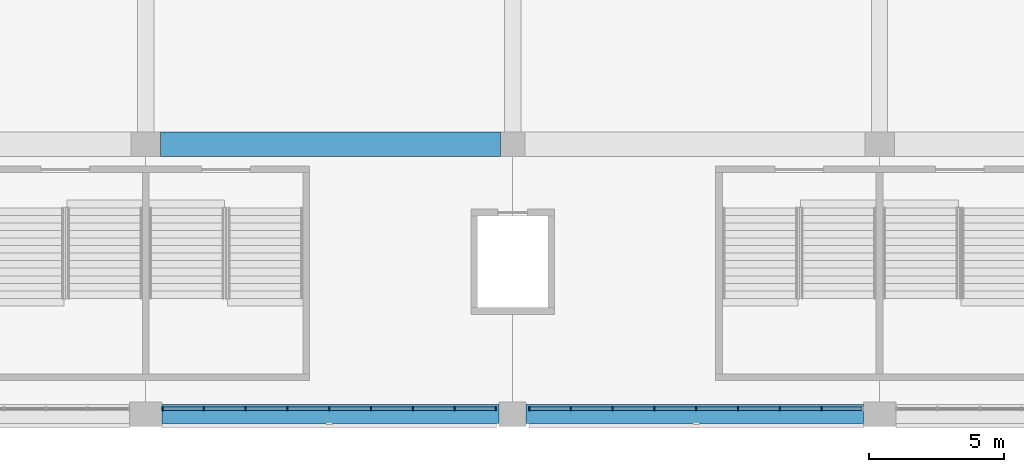
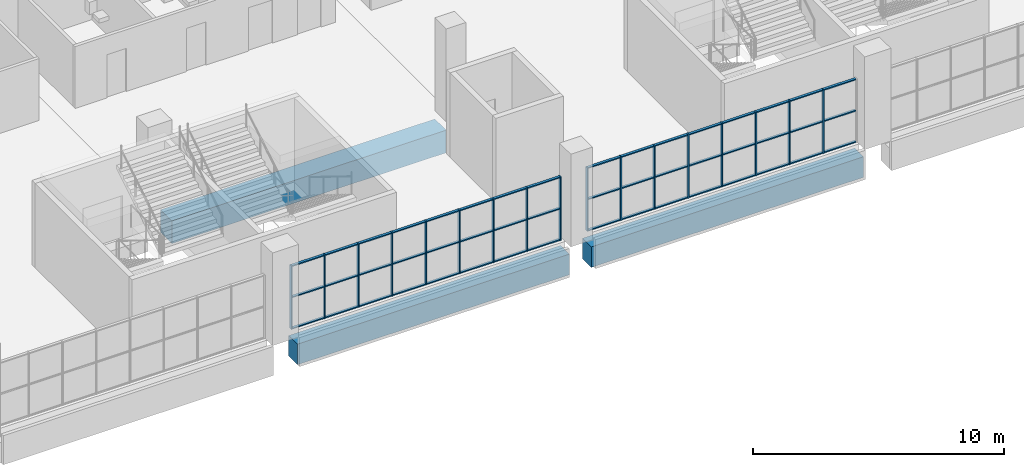
# One storey, part 11 of 199: 65 members, 3 beams, 2 elements without a shape of their own.
"""IFC4 building model written with IfcOpenShell, lengths in metres."""

from ifc_helpers import new_model, si_unit, direction, frame, origin, origin_2d, place, context, subcontext, project, spatial, rectangle, extrude, material, material_profile, profile_set, type_object, element, aggregate, save


model = new_model("IFC4")

# Units and contexts
model_context = context("Model", 3, precision=1e-05, world=origin(), true_north=direction((0.0, 1.0)))
body_context = subcontext(model_context, "Body", "Model", "MODEL_VIEW")
ifc_project = project(units=[si_unit("LENGTHUNIT", "METRE"), si_unit("AREAUNIT", "SQUARE_METRE"), si_unit("VOLUMEUNIT", "CUBIC_METRE"), si_unit("PLANEANGLEUNIT", "RADIAN"), si_unit("MASSUNIT", "GRAM", prefix="KILO")], contexts=[model_context])

# Site, building, storey
site_placement = place(None, origin())
site = spatial("IfcSite", under=ifc_project, at=site_placement, CompositionType="ELEMENT")
building_placement = place(site_placement, origin())
building = spatial("IfcBuilding", under=site, at=building_placement, Name="Ogive Plaza Stadium", CompositionType="ELEMENT")
storey_placement = place(building_placement, frame((0.0, 0.0, 4.5)))
storey = spatial("IfcBuildingStorey", under=building, at=storey_placement, Name="L01", CompositionType="ELEMENT", Elevation=4.5)

# Curtain wall, members
ifc_material_1 = material(Name="Bronze-anodised aluminium with laminated glass", Category="aluminium")
curtain_wall_type = type_object("IfcCurtainWallType", Name="Lancet curtain wall", PredefinedType="NOTDEFINED", material=ifc_material_1)
curtain_wall_1_placement = place(storey_placement, origin())
curtain_wall_1 = element("IfcCurtainWall", 1, at=curtain_wall_1_placement, inside=storey, type_object=curtain_wall_type, Name="CURTAIN WALL B14 L01", PredefinedType="NOTDEFINED")
ifc_material_2 = material(Name="Bronze-anodised aluminium", Category="aluminium")
ifc_material_profile_1 = material_profile(ifc_material_2, rectangle(XDim=0.14990234375, YDim=0.050048828125, at=origin_2d()), Name="AL 150x50")
ifc_profile_set_1 = profile_set([ifc_material_profile_1], Name="Bronze-anodised aluminium")
member_type_1 = type_object("IfcMemberType", Name="Curtain wall mullion 50x150", PredefinedType="MULLION", material=ifc_profile_set_1)
member_1_placement = place(storey_placement, frame((4.64990234375, -102.300048828125, 0.0), z_axis=(0.0, 0.0, 1.0), x_axis=(0.0, -1.0, 0.0)))
member_1 = element("IfcMember", 2, at=member_1_placement, type_object=member_type_1, Name="CW-B14-L01 mullion 2", PredefinedType="MULLION", context=body_context, shape_type="SweptSolid", body=[
    extrude(rectangle(XDim=0.14990234375, YDim=0.050048828125, at=origin_2d()), origin(), (0.0, 0.0, 1.0), 3.090087890625),
])
member_2_placement = place(storey_placement, frame((3.10009765625, -102.300048828125, 0.0), z_axis=(0.0, 0.0, 1.0), x_axis=(0.0, -1.0, 0.0)))
member_2 = element("IfcMember", 3, at=member_2_placement, type_object=member_type_1, Name="CW-B14-L01 mullion 3", PredefinedType="MULLION", context=body_context, shape_type="SweptSolid", body=[
    extrude(rectangle(XDim=0.14990234375, YDim=0.050048828125, at=origin_2d()), origin(), (0.0, 0.0, 1.0), 3.090087890625),
])
member_3_placement = place(storey_placement, frame((1.550048828125, -102.300048828125, 0.0), z_axis=(0.0, 0.0, 1.0), x_axis=(0.0, -1.0, 0.0)))
member_3 = element("IfcMember", 4, at=member_3_placement, type_object=member_type_1, Name="CW-B14-L01 mullion 4", PredefinedType="MULLION", context=body_context, shape_type="SweptSolid", body=[
    extrude(rectangle(XDim=0.14990234375, YDim=0.050048828125, at=origin_2d()), origin(), (0.0, 0.0, 1.0), 3.090087890625),
])
member_4_placement = place(storey_placement, frame((0.0, -102.300048828125, 0.0), z_axis=(0.0, 0.0, 1.0), x_axis=(0.0, -1.0, 0.0)))
member_4 = element("IfcMember", 5, at=member_4_placement, type_object=member_type_1, Name="CW-B14-L01 mullion 5", PredefinedType="MULLION", context=body_context, shape_type="SweptSolid", body=[
    extrude(rectangle(XDim=0.14990234375, YDim=0.050048828125, at=origin_2d()), origin(), (0.0, 0.0, 1.0), 3.090087890625),
])
member_5_placement = place(storey_placement, frame((-1.550048828125, -102.300048828125, 0.0), z_axis=(0.0, 0.0, 1.0), x_axis=(0.0, -1.0, 0.0)))
member_5 = element("IfcMember", 6, at=member_5_placement, type_object=member_type_1, Name="CW-B14-L01 mullion 6", PredefinedType="MULLION", context=body_context, shape_type="SweptSolid", body=[
    extrude(rectangle(XDim=0.14990234375, YDim=0.050048828125, at=origin_2d()), origin(), (0.0, 0.0, 1.0), 3.090087890625),
])
member_6_placement = place(storey_placement, frame((-3.10009765625, -102.300048828125, 0.0), z_axis=(0.0, 0.0, 1.0), x_axis=(0.0, -1.0, 0.0)))
member_6 = element("IfcMember", 7, at=member_6_placement, type_object=member_type_1, Name="CW-B14-L01 mullion 7", PredefinedType="MULLION", context=body_context, shape_type="SweptSolid", body=[
    extrude(rectangle(XDim=0.14990234375, YDim=0.050048828125, at=origin_2d()), origin(), (0.0, 0.0, 1.0), 3.090087890625),
])
member_7_placement = place(storey_placement, frame((-4.64990234375, -102.300048828125, 0.0), z_axis=(0.0, 0.0, 1.0), x_axis=(0.0, -1.0, 0.0)))
member_7 = element("IfcMember", 8, at=member_7_placement, type_object=member_type_1, Name="CW-B14-L01 mullion 8", PredefinedType="MULLION", context=body_context, shape_type="SweptSolid", body=[
    extrude(rectangle(XDim=0.14990234375, YDim=0.050048828125, at=origin_2d()), origin(), (0.0, 0.0, 1.0), 3.090087890625),
])
member_8_placement = place(storey_placement, frame((-6.175048828125, -102.300048828125, 0.0), z_axis=(0.0, 0.0, 1.0), x_axis=(0.0, -1.0, 0.0)))
member_8 = element("IfcMember", 9, at=member_8_placement, type_object=member_type_1, Name="CW-B14-L01 mullion 9", PredefinedType="MULLION", context=body_context, shape_type="SweptSolid", body=[
    extrude(rectangle(XDim=0.14990234375, YDim=0.050048828125, at=origin_2d()), origin(), (0.0, 0.0, 1.0), 3.090087890625),
])

curtain_wall_2_placement = place(storey_placement, origin())
curtain_wall_2 = element("IfcCurtainWall", 10, at=curtain_wall_2_placement, inside=storey, type_object=curtain_wall_type, Name="CURTAIN WALL B15 L01", PredefinedType="NOTDEFINED")
member_9_placement = place(storey_placement, frame((-7.425048828125, -102.300048828125, 0.0), z_axis=(0.0, 0.0, 1.0), x_axis=(0.0, -1.0, 0.0)))
member_9 = element("IfcMember", 11, at=member_9_placement, type_object=member_type_1, Name="CW-B15-L01 mullion 1", PredefinedType="MULLION", context=body_context, shape_type="SweptSolid", body=[
    extrude(rectangle(XDim=0.14990234375, YDim=0.050048828125, at=origin_2d()), origin(), (0.0, 0.0, 1.0), 3.090087890625),
])
member_10_placement = place(storey_placement, frame((-8.949951171875, -102.300048828125, 0.0), z_axis=(0.0, 0.0, 1.0), x_axis=(0.0, -1.0, 0.0)))
member_10 = element("IfcMember", 12, at=member_10_placement, type_object=member_type_1, Name="CW-B15-L01 mullion 2", PredefinedType="MULLION", context=body_context, shape_type="SweptSolid", body=[
    extrude(rectangle(XDim=0.14990234375, YDim=0.050048828125, at=origin_2d()), origin(), (0.0, 0.0, 1.0), 3.090087890625),
])
member_11_placement = place(storey_placement, frame((-10.5, -102.300048828125, 0.0), z_axis=(0.0, 0.0, 1.0), x_axis=(0.0, -1.0, 0.0)))
member_11 = element("IfcMember", 13, at=member_11_placement, type_object=member_type_1, Name="CW-B15-L01 mullion 3", PredefinedType="MULLION", context=body_context, shape_type="SweptSolid", body=[
    extrude(rectangle(XDim=0.14990234375, YDim=0.050048828125, at=origin_2d()), origin(), (0.0, 0.0, 1.0), 3.090087890625),
])
member_12_placement = place(storey_placement, frame((-12.050048828125, -102.300048828125, 0.0), z_axis=(0.0, 0.0, 1.0), x_axis=(0.0, -1.0, 0.0)))
member_12 = element("IfcMember", 14, at=member_12_placement, type_object=member_type_1, Name="CW-B15-L01 mullion 4", PredefinedType="MULLION", context=body_context, shape_type="SweptSolid", body=[
    extrude(rectangle(XDim=0.14990234375, YDim=0.050048828125, at=origin_2d()), origin(), (0.0, 0.0, 1.0), 3.090087890625),
])
member_13_placement = place(storey_placement, frame((-13.60009765625, -102.300048828125, 0.0), z_axis=(0.0, 0.0, 1.0), x_axis=(0.0, -1.0, 0.0)))
member_13 = element("IfcMember", 15, at=member_13_placement, type_object=member_type_1, Name="CW-B15-L01 mullion 5", PredefinedType="MULLION", context=body_context, shape_type="SweptSolid", body=[
    extrude(rectangle(XDim=0.14990234375, YDim=0.050048828125, at=origin_2d()), origin(), (0.0, 0.0, 1.0), 3.090087890625),
])
member_14_placement = place(storey_placement, frame((-15.14990234375, -102.300048828125, 0.0), z_axis=(0.0, 0.0, 1.0), x_axis=(0.0, -1.0, 0.0)))
member_14 = element("IfcMember", 16, at=member_14_placement, type_object=member_type_1, Name="CW-B15-L01 mullion 6", PredefinedType="MULLION", context=body_context, shape_type="SweptSolid", body=[
    extrude(rectangle(XDim=0.14990234375, YDim=0.050048828125, at=origin_2d()), origin(), (0.0, 0.0, 1.0), 3.090087890625),
])
member_15_placement = place(storey_placement, frame((-16.699951171875, -102.300048828125, 0.0), z_axis=(0.0, 0.0, 1.0), x_axis=(0.0, -1.0, 0.0)))
member_15 = element("IfcMember", 17, at=member_15_placement, type_object=member_type_1, Name="CW-B15-L01 mullion 7", PredefinedType="MULLION", context=body_context, shape_type="SweptSolid", body=[
    extrude(rectangle(XDim=0.14990234375, YDim=0.050048828125, at=origin_2d()), origin(), (0.0, 0.0, 1.0), 3.090087890625),
])
member_16_placement = place(storey_placement, frame((-18.25, -102.300048828125, 0.0), z_axis=(0.0, 0.0, 1.0), x_axis=(0.0, -1.0, 0.0)))
member_16 = element("IfcMember", 18, at=member_16_placement, type_object=member_type_1, Name="CW-B15-L01 mullion 8", PredefinedType="MULLION", context=body_context, shape_type="SweptSolid", body=[
    extrude(rectangle(XDim=0.14990234375, YDim=0.050048828125, at=origin_2d()), origin(), (0.0, 0.0, 1.0), 3.090087890625),
])
member_17_placement = place(storey_placement, frame((-19.77490234375, -102.300048828125, 0.0), z_axis=(0.0, 0.0, 1.0), x_axis=(0.0, -1.0, 0.0)))
member_17 = element("IfcMember", 19, at=member_17_placement, type_object=member_type_1, Name="CW-B15-L01 mullion 9", PredefinedType="MULLION", context=body_context, shape_type="SweptSolid", body=[
    extrude(rectangle(XDim=0.14990234375, YDim=0.050048828125, at=origin_2d()), origin(), (0.0, 0.0, 1.0), 3.090087890625),
])

# Member
ifc_material_3 = material(Name="Bronze-anodised aluminium", Category="aluminium")
ifc_material_profile_2 = material_profile(ifc_material_3, rectangle(XDim=0.1201171875, YDim=0.050048828125, at=origin_2d()), Name="AL 120x50")
ifc_profile_set_2 = profile_set([ifc_material_profile_2], Name="Bronze-anodised aluminium")
member_type_2 = type_object("IfcMemberType", Name="Curtain wall transom 50x120", PredefinedType="USERDEFINED", material=ifc_profile_set_2)
member_18_placement = place(storey_placement, frame((6.14990234375, -102.300048828125, 0.02490234375), z_axis=(-1.0, 0.0, 0.0), x_axis=(0.0, -1.0, 0.0)))
member_18 = element("IfcMember", 20, at=member_18_placement, type_object=member_type_2, Name="CW-B14-L01 transom 1.1", ObjectType="TRANSOM", PredefinedType="USERDEFINED", context=body_context, shape_type="SweptSolid", body=[
    extrude(rectangle(XDim=0.1201171875, YDim=0.050048828125, at=origin_2d()), origin(), (0.0, 0.0, 1.0), 1.474853515625),
])

member_19_placement = place(storey_placement, frame((6.14990234375, -102.300048828125, 1.544921875), z_axis=(-1.0, 0.0, 0.0), x_axis=(0.0, -1.0, 0.0)))
member_19 = element("IfcMember", 21, at=member_19_placement, type_object=member_type_2, Name="CW-B14-L01 transom 1.2", ObjectType="TRANSOM", PredefinedType="USERDEFINED", context=body_context, shape_type="SweptSolid", body=[
    extrude(rectangle(XDim=0.1201171875, YDim=0.050048828125, at=origin_2d()), origin(), (0.0, 0.0, 1.0), 1.474853515625),
])

member_20_placement = place(storey_placement, frame((6.14990234375, -102.300048828125, 3.06494140625), z_axis=(-1.0, 0.0, 0.0), x_axis=(0.0, -1.0, 0.0)))
member_20 = element("IfcMember", 22, at=member_20_placement, type_object=member_type_2, Name="CW-B14-L01 transom 1.3", ObjectType="TRANSOM", PredefinedType="USERDEFINED", context=body_context, shape_type="SweptSolid", body=[
    extrude(rectangle(XDim=0.1201171875, YDim=0.050048828125, at=origin_2d()), origin(), (0.0, 0.0, 1.0), 1.474853515625),
])

member_21_placement = place(storey_placement, frame((4.625, -102.300048828125, 0.02490234375), z_axis=(-1.0, 0.0, 0.0), x_axis=(0.0, -1.0, 0.0)))
member_21 = element("IfcMember", 23, at=member_21_placement, type_object=member_type_2, Name="CW-B14-L01 transom 2.1", ObjectType="TRANSOM", PredefinedType="USERDEFINED", context=body_context, shape_type="SweptSolid", body=[
    extrude(rectangle(XDim=0.1201171875, YDim=0.050048828125, at=origin_2d()), origin(), (0.0, 0.0, 1.0), 1.5),
])

member_22_placement = place(storey_placement, frame((4.625, -102.300048828125, 1.544921875), z_axis=(-1.0, 0.0, 0.0), x_axis=(0.0, -1.0, 0.0)))
member_22 = element("IfcMember", 24, at=member_22_placement, type_object=member_type_2, Name="CW-B14-L01 transom 2.2", ObjectType="TRANSOM", PredefinedType="USERDEFINED", context=body_context, shape_type="SweptSolid", body=[
    extrude(rectangle(XDim=0.1201171875, YDim=0.050048828125, at=origin_2d()), origin(), (0.0, 0.0, 1.0), 1.5),
])

member_23_placement = place(storey_placement, frame((4.625, -102.300048828125, 3.06494140625), z_axis=(-1.0, 0.0, 0.0), x_axis=(0.0, -1.0, 0.0)))
member_23 = element("IfcMember", 25, at=member_23_placement, type_object=member_type_2, Name="CW-B14-L01 transom 2.3", ObjectType="TRANSOM", PredefinedType="USERDEFINED", context=body_context, shape_type="SweptSolid", body=[
    extrude(rectangle(XDim=0.1201171875, YDim=0.050048828125, at=origin_2d()), origin(), (0.0, 0.0, 1.0), 1.5),
])

member_24_placement = place(storey_placement, frame((3.074951171875, -102.300048828125, 0.02490234375), z_axis=(-1.0, 0.0, 0.0), x_axis=(0.0, -1.0, 0.0)))
member_24 = element("IfcMember", 26, at=member_24_placement, type_object=member_type_2, Name="CW-B14-L01 transom 3.1", ObjectType="TRANSOM", PredefinedType="USERDEFINED", context=body_context, shape_type="SweptSolid", body=[
    extrude(rectangle(XDim=0.1201171875, YDim=0.050048828125, at=origin_2d()), origin(), (0.0, 0.0, 1.0), 1.5),
])

member_25_placement = place(storey_placement, frame((3.074951171875, -102.300048828125, 1.544921875), z_axis=(-1.0, 0.0, 0.0), x_axis=(0.0, -1.0, 0.0)))
member_25 = element("IfcMember", 27, at=member_25_placement, type_object=member_type_2, Name="CW-B14-L01 transom 3.2", ObjectType="TRANSOM", PredefinedType="USERDEFINED", context=body_context, shape_type="SweptSolid", body=[
    extrude(rectangle(XDim=0.1201171875, YDim=0.050048828125, at=origin_2d()), origin(), (0.0, 0.0, 1.0), 1.5),
])

member_26_placement = place(storey_placement, frame((3.074951171875, -102.300048828125, 3.06494140625), z_axis=(-1.0, 0.0, 0.0), x_axis=(0.0, -1.0, 0.0)))
member_26 = element("IfcMember", 28, at=member_26_placement, type_object=member_type_2, Name="CW-B14-L01 transom 3.3", ObjectType="TRANSOM", PredefinedType="USERDEFINED", context=body_context, shape_type="SweptSolid", body=[
    extrude(rectangle(XDim=0.1201171875, YDim=0.050048828125, at=origin_2d()), origin(), (0.0, 0.0, 1.0), 1.5),
])

member_27_placement = place(storey_placement, frame((1.52490234375, -102.300048828125, 0.02490234375), z_axis=(-1.0, 0.0, 0.0), x_axis=(0.0, -1.0, 0.0)))
member_27 = element("IfcMember", 29, at=member_27_placement, type_object=member_type_2, Name="CW-B14-L01 transom 4.1", ObjectType="TRANSOM", PredefinedType="USERDEFINED", context=body_context, shape_type="SweptSolid", body=[
    extrude(rectangle(XDim=0.1201171875, YDim=0.050048828125, at=origin_2d()), origin(), (0.0, 0.0, 1.0), 1.5),
])

member_28_placement = place(storey_placement, frame((1.52490234375, -102.300048828125, 1.544921875), z_axis=(-1.0, 0.0, 0.0), x_axis=(0.0, -1.0, 0.0)))
member_28 = element("IfcMember", 30, at=member_28_placement, type_object=member_type_2, Name="CW-B14-L01 transom 4.2", ObjectType="TRANSOM", PredefinedType="USERDEFINED", context=body_context, shape_type="SweptSolid", body=[
    extrude(rectangle(XDim=0.1201171875, YDim=0.050048828125, at=origin_2d()), origin(), (0.0, 0.0, 1.0), 1.5),
])

member_29_placement = place(storey_placement, frame((1.52490234375, -102.300048828125, 3.06494140625), z_axis=(-1.0, 0.0, 0.0), x_axis=(0.0, -1.0, 0.0)))
member_29 = element("IfcMember", 31, at=member_29_placement, type_object=member_type_2, Name="CW-B14-L01 transom 4.3", ObjectType="TRANSOM", PredefinedType="USERDEFINED", context=body_context, shape_type="SweptSolid", body=[
    extrude(rectangle(XDim=0.1201171875, YDim=0.050048828125, at=origin_2d()), origin(), (0.0, 0.0, 1.0), 1.5),
])

member_30_placement = place(storey_placement, frame((-0.02490234375, -102.300048828125, 0.02490234375), z_axis=(-1.0, 0.0, 0.0), x_axis=(0.0, -1.0, 0.0)))
member_30 = element("IfcMember", 32, at=member_30_placement, type_object=member_type_2, Name="CW-B14-L01 transom 5.1", ObjectType="TRANSOM", PredefinedType="USERDEFINED", context=body_context, shape_type="SweptSolid", body=[
    extrude(rectangle(XDim=0.1201171875, YDim=0.050048828125, at=origin_2d()), origin(), (0.0, 0.0, 1.0), 1.5),
])

member_31_placement = place(storey_placement, frame((-0.02490234375, -102.300048828125, 1.544921875), z_axis=(-1.0, 0.0, 0.0), x_axis=(0.0, -1.0, 0.0)))
member_31 = element("IfcMember", 33, at=member_31_placement, type_object=member_type_2, Name="CW-B14-L01 transom 5.2", ObjectType="TRANSOM", PredefinedType="USERDEFINED", context=body_context, shape_type="SweptSolid", body=[
    extrude(rectangle(XDim=0.1201171875, YDim=0.050048828125, at=origin_2d()), origin(), (0.0, 0.0, 1.0), 1.5),
])

member_32_placement = place(storey_placement, frame((-0.02490234375, -102.300048828125, 3.06494140625), z_axis=(-1.0, 0.0, 0.0), x_axis=(0.0, -1.0, 0.0)))
member_32 = element("IfcMember", 34, at=member_32_placement, type_object=member_type_2, Name="CW-B14-L01 transom 5.3", ObjectType="TRANSOM", PredefinedType="USERDEFINED", context=body_context, shape_type="SweptSolid", body=[
    extrude(rectangle(XDim=0.1201171875, YDim=0.050048828125, at=origin_2d()), origin(), (0.0, 0.0, 1.0), 1.5),
])

member_33_placement = place(storey_placement, frame((-1.574951171875, -102.300048828125, 0.02490234375), z_axis=(-1.0, 0.0, 0.0), x_axis=(0.0, -1.0, 0.0)))
member_33 = element("IfcMember", 35, at=member_33_placement, type_object=member_type_2, Name="CW-B14-L01 transom 6.1", ObjectType="TRANSOM", PredefinedType="USERDEFINED", context=body_context, shape_type="SweptSolid", body=[
    extrude(rectangle(XDim=0.1201171875, YDim=0.050048828125, at=origin_2d()), origin(), (0.0, 0.0, 1.0), 1.5),
])

member_34_placement = place(storey_placement, frame((-1.574951171875, -102.300048828125, 1.544921875), z_axis=(-1.0, 0.0, 0.0), x_axis=(0.0, -1.0, 0.0)))
member_34 = element("IfcMember", 36, at=member_34_placement, type_object=member_type_2, Name="CW-B14-L01 transom 6.2", ObjectType="TRANSOM", PredefinedType="USERDEFINED", context=body_context, shape_type="SweptSolid", body=[
    extrude(rectangle(XDim=0.1201171875, YDim=0.050048828125, at=origin_2d()), origin(), (0.0, 0.0, 1.0), 1.5),
])

member_35_placement = place(storey_placement, frame((-1.574951171875, -102.300048828125, 3.06494140625), z_axis=(-1.0, 0.0, 0.0), x_axis=(0.0, -1.0, 0.0)))
member_35 = element("IfcMember", 37, at=member_35_placement, type_object=member_type_2, Name="CW-B14-L01 transom 6.3", ObjectType="TRANSOM", PredefinedType="USERDEFINED", context=body_context, shape_type="SweptSolid", body=[
    extrude(rectangle(XDim=0.1201171875, YDim=0.050048828125, at=origin_2d()), origin(), (0.0, 0.0, 1.0), 1.5),
])

member_36_placement = place(storey_placement, frame((-3.125, -102.300048828125, 0.02490234375), z_axis=(-1.0, 0.0, 0.0), x_axis=(0.0, -1.0, 0.0)))
member_36 = element("IfcMember", 38, at=member_36_placement, type_object=member_type_2, Name="CW-B14-L01 transom 7.1", ObjectType="TRANSOM", PredefinedType="USERDEFINED", context=body_context, shape_type="SweptSolid", body=[
    extrude(rectangle(XDim=0.1201171875, YDim=0.050048828125, at=origin_2d()), origin(), (0.0, 0.0, 1.0), 1.5),
])

member_37_placement = place(storey_placement, frame((-3.125, -102.300048828125, 1.544921875), z_axis=(-1.0, 0.0, 0.0), x_axis=(0.0, -1.0, 0.0)))
member_37 = element("IfcMember", 39, at=member_37_placement, type_object=member_type_2, Name="CW-B14-L01 transom 7.2", ObjectType="TRANSOM", PredefinedType="USERDEFINED", context=body_context, shape_type="SweptSolid", body=[
    extrude(rectangle(XDim=0.1201171875, YDim=0.050048828125, at=origin_2d()), origin(), (0.0, 0.0, 1.0), 1.5),
])

member_38_placement = place(storey_placement, frame((-3.125, -102.300048828125, 3.06494140625), z_axis=(-1.0, 0.0, 0.0), x_axis=(0.0, -1.0, 0.0)))
member_38 = element("IfcMember", 40, at=member_38_placement, type_object=member_type_2, Name="CW-B14-L01 transom 7.3", ObjectType="TRANSOM", PredefinedType="USERDEFINED", context=body_context, shape_type="SweptSolid", body=[
    extrude(rectangle(XDim=0.1201171875, YDim=0.050048828125, at=origin_2d()), origin(), (0.0, 0.0, 1.0), 1.5),
])

member_39_placement = place(storey_placement, frame((-4.675048828125, -102.300048828125, 0.02490234375), z_axis=(-1.0, 0.0, 0.0), x_axis=(0.0, -1.0, 0.0)))
member_39 = element("IfcMember", 41, at=member_39_placement, type_object=member_type_2, Name="CW-B14-L01 transom 8.1", ObjectType="TRANSOM", PredefinedType="USERDEFINED", context=body_context, shape_type="SweptSolid", body=[
    extrude(rectangle(XDim=0.1201171875, YDim=0.050048828125, at=origin_2d()), origin(), (0.0, 0.0, 1.0), 1.474853515625),
])

member_40_placement = place(storey_placement, frame((-4.675048828125, -102.300048828125, 1.544921875), z_axis=(-1.0, 0.0, 0.0), x_axis=(0.0, -1.0, 0.0)))
member_40 = element("IfcMember", 42, at=member_40_placement, type_object=member_type_2, Name="CW-B14-L01 transom 8.2", ObjectType="TRANSOM", PredefinedType="USERDEFINED", context=body_context, shape_type="SweptSolid", body=[
    extrude(rectangle(XDim=0.1201171875, YDim=0.050048828125, at=origin_2d()), origin(), (0.0, 0.0, 1.0), 1.474853515625),
])

member_41_placement = place(storey_placement, frame((-4.675048828125, -102.300048828125, 3.06494140625), z_axis=(-1.0, 0.0, 0.0), x_axis=(0.0, -1.0, 0.0)))
member_41 = element("IfcMember", 43, at=member_41_placement, type_object=member_type_2, Name="CW-B14-L01 transom 8.3", ObjectType="TRANSOM", PredefinedType="USERDEFINED", context=body_context, shape_type="SweptSolid", body=[
    extrude(rectangle(XDim=0.1201171875, YDim=0.050048828125, at=origin_2d()), origin(), (0.0, 0.0, 1.0), 1.474853515625),
])

aggregate(curtain_wall_1, [member_1, member_2, member_3, member_4, member_5, member_6, member_7, member_8, member_18, member_19, member_20, member_21, member_22, member_23, member_24, member_25, member_26, member_27, member_28, member_29, member_30, member_31, member_32, member_33, member_34, member_35, member_36, member_37, member_38, member_39, member_40, member_41])

member_42_placement = place(storey_placement, frame((-7.449951171875, -102.300048828125, 0.02490234375), z_axis=(-1.0, 0.0, 0.0), x_axis=(0.0, -1.0, 0.0)))
member_42 = element("IfcMember", 44, at=member_42_placement, type_object=member_type_2, Name="CW-B15-L01 transom 1.1", ObjectType="TRANSOM", PredefinedType="USERDEFINED", context=body_context, shape_type="SweptSolid", body=[
    extrude(rectangle(XDim=0.1201171875, YDim=0.050048828125, at=origin_2d()), origin(), (0.0, 0.0, 1.0), 1.47509765625),
])

member_43_placement = place(storey_placement, frame((-7.449951171875, -102.300048828125, 1.544921875), z_axis=(-1.0, 0.0, 0.0), x_axis=(0.0, -1.0, 0.0)))
member_43 = element("IfcMember", 45, at=member_43_placement, type_object=member_type_2, Name="CW-B15-L01 transom 1.2", ObjectType="TRANSOM", PredefinedType="USERDEFINED", context=body_context, shape_type="SweptSolid", body=[
    extrude(rectangle(XDim=0.1201171875, YDim=0.050048828125, at=origin_2d()), origin(), (0.0, 0.0, 1.0), 1.47509765625),
])

member_44_placement = place(storey_placement, frame((-7.449951171875, -102.300048828125, 3.06494140625), z_axis=(-1.0, 0.0, 0.0), x_axis=(0.0, -1.0, 0.0)))
member_44 = element("IfcMember", 46, at=member_44_placement, type_object=member_type_2, Name="CW-B15-L01 transom 1.3", ObjectType="TRANSOM", PredefinedType="USERDEFINED", context=body_context, shape_type="SweptSolid", body=[
    extrude(rectangle(XDim=0.1201171875, YDim=0.050048828125, at=origin_2d()), origin(), (0.0, 0.0, 1.0), 1.47509765625),
])

member_45_placement = place(storey_placement, frame((-8.97509765625, -102.300048828125, 0.02490234375), z_axis=(-1.0, 0.0, 0.0), x_axis=(0.0, -1.0, 0.0)))
member_45 = element("IfcMember", 47, at=member_45_placement, type_object=member_type_2, Name="CW-B15-L01 transom 2.1", ObjectType="TRANSOM", PredefinedType="USERDEFINED", context=body_context, shape_type="SweptSolid", body=[
    extrude(rectangle(XDim=0.1201171875, YDim=0.050048828125, at=origin_2d()), origin(), (0.0, 0.0, 1.0), 1.5),
])

member_46_placement = place(storey_placement, frame((-8.97509765625, -102.300048828125, 1.544921875), z_axis=(-1.0, 0.0, 0.0), x_axis=(0.0, -1.0, 0.0)))
member_46 = element("IfcMember", 48, at=member_46_placement, type_object=member_type_2, Name="CW-B15-L01 transom 2.2", ObjectType="TRANSOM", PredefinedType="USERDEFINED", context=body_context, shape_type="SweptSolid", body=[
    extrude(rectangle(XDim=0.1201171875, YDim=0.050048828125, at=origin_2d()), origin(), (0.0, 0.0, 1.0), 1.5),
])

member_47_placement = place(storey_placement, frame((-8.97509765625, -102.300048828125, 3.06494140625), z_axis=(-1.0, 0.0, 0.0), x_axis=(0.0, -1.0, 0.0)))
member_47 = element("IfcMember", 49, at=member_47_placement, type_object=member_type_2, Name="CW-B15-L01 transom 2.3", ObjectType="TRANSOM", PredefinedType="USERDEFINED", context=body_context, shape_type="SweptSolid", body=[
    extrude(rectangle(XDim=0.1201171875, YDim=0.050048828125, at=origin_2d()), origin(), (0.0, 0.0, 1.0), 1.5),
])

member_48_placement = place(storey_placement, frame((-10.52490234375, -102.300048828125, 0.02490234375), z_axis=(-1.0, 0.0, 0.0), x_axis=(0.0, -1.0, 0.0)))
member_48 = element("IfcMember", 50, at=member_48_placement, type_object=member_type_2, Name="CW-B15-L01 transom 3.1", ObjectType="TRANSOM", PredefinedType="USERDEFINED", context=body_context, shape_type="SweptSolid", body=[
    extrude(rectangle(XDim=0.1201171875, YDim=0.050048828125, at=origin_2d()), origin(), (0.0, 0.0, 1.0), 1.5),
])

member_49_placement = place(storey_placement, frame((-10.52490234375, -102.300048828125, 1.544921875), z_axis=(-1.0, 0.0, 0.0), x_axis=(0.0, -1.0, 0.0)))
member_49 = element("IfcMember", 51, at=member_49_placement, type_object=member_type_2, Name="CW-B15-L01 transom 3.2", ObjectType="TRANSOM", PredefinedType="USERDEFINED", context=body_context, shape_type="SweptSolid", body=[
    extrude(rectangle(XDim=0.1201171875, YDim=0.050048828125, at=origin_2d()), origin(), (0.0, 0.0, 1.0), 1.5),
])

member_50_placement = place(storey_placement, frame((-10.52490234375, -102.300048828125, 3.06494140625), z_axis=(-1.0, 0.0, 0.0), x_axis=(0.0, -1.0, 0.0)))
member_50 = element("IfcMember", 52, at=member_50_placement, type_object=member_type_2, Name="CW-B15-L01 transom 3.3", ObjectType="TRANSOM", PredefinedType="USERDEFINED", context=body_context, shape_type="SweptSolid", body=[
    extrude(rectangle(XDim=0.1201171875, YDim=0.050048828125, at=origin_2d()), origin(), (0.0, 0.0, 1.0), 1.5),
])

member_51_placement = place(storey_placement, frame((-12.074951171875, -102.300048828125, 0.02490234375), z_axis=(-1.0, 0.0, 0.0), x_axis=(0.0, -1.0, 0.0)))
member_51 = element("IfcMember", 53, at=member_51_placement, type_object=member_type_2, Name="CW-B15-L01 transom 4.1", ObjectType="TRANSOM", PredefinedType="USERDEFINED", context=body_context, shape_type="SweptSolid", body=[
    extrude(rectangle(XDim=0.1201171875, YDim=0.050048828125, at=origin_2d()), origin(), (0.0, 0.0, 1.0), 1.5),
])

member_52_placement = place(storey_placement, frame((-12.074951171875, -102.300048828125, 1.544921875), z_axis=(-1.0, 0.0, 0.0), x_axis=(0.0, -1.0, 0.0)))
member_52 = element("IfcMember", 54, at=member_52_placement, type_object=member_type_2, Name="CW-B15-L01 transom 4.2", ObjectType="TRANSOM", PredefinedType="USERDEFINED", context=body_context, shape_type="SweptSolid", body=[
    extrude(rectangle(XDim=0.1201171875, YDim=0.050048828125, at=origin_2d()), origin(), (0.0, 0.0, 1.0), 1.5),
])

member_53_placement = place(storey_placement, frame((-12.074951171875, -102.300048828125, 3.06494140625), z_axis=(-1.0, 0.0, 0.0), x_axis=(0.0, -1.0, 0.0)))
member_53 = element("IfcMember", 55, at=member_53_placement, type_object=member_type_2, Name="CW-B15-L01 transom 4.3", ObjectType="TRANSOM", PredefinedType="USERDEFINED", context=body_context, shape_type="SweptSolid", body=[
    extrude(rectangle(XDim=0.1201171875, YDim=0.050048828125, at=origin_2d()), origin(), (0.0, 0.0, 1.0), 1.5),
])

member_54_placement = place(storey_placement, frame((-13.625, -102.300048828125, 0.02490234375), z_axis=(-1.0, 0.0, 0.0), x_axis=(0.0, -1.0, 0.0)))
member_54 = element("IfcMember", 56, at=member_54_placement, type_object=member_type_2, Name="CW-B15-L01 transom 5.1", ObjectType="TRANSOM", PredefinedType="USERDEFINED", context=body_context, shape_type="SweptSolid", body=[
    extrude(rectangle(XDim=0.1201171875, YDim=0.050048828125, at=origin_2d()), origin(), (0.0, 0.0, 1.0), 1.5),
])

member_55_placement = place(storey_placement, frame((-13.625, -102.300048828125, 1.544921875), z_axis=(-1.0, 0.0, 0.0), x_axis=(0.0, -1.0, 0.0)))
member_55 = element("IfcMember", 57, at=member_55_placement, type_object=member_type_2, Name="CW-B15-L01 transom 5.2", ObjectType="TRANSOM", PredefinedType="USERDEFINED", context=body_context, shape_type="SweptSolid", body=[
    extrude(rectangle(XDim=0.1201171875, YDim=0.050048828125, at=origin_2d()), origin(), (0.0, 0.0, 1.0), 1.5),
])

member_56_placement = place(storey_placement, frame((-13.625, -102.300048828125, 3.06494140625), z_axis=(-1.0, 0.0, 0.0), x_axis=(0.0, -1.0, 0.0)))
member_56 = element("IfcMember", 58, at=member_56_placement, type_object=member_type_2, Name="CW-B15-L01 transom 5.3", ObjectType="TRANSOM", PredefinedType="USERDEFINED", context=body_context, shape_type="SweptSolid", body=[
    extrude(rectangle(XDim=0.1201171875, YDim=0.050048828125, at=origin_2d()), origin(), (0.0, 0.0, 1.0), 1.5),
])

member_57_placement = place(storey_placement, frame((-15.175048828125, -102.300048828125, 0.02490234375), z_axis=(-1.0, 0.0, 0.0), x_axis=(0.0, -1.0, 0.0)))
member_57 = element("IfcMember", 59, at=member_57_placement, type_object=member_type_2, Name="CW-B15-L01 transom 6.1", ObjectType="TRANSOM", PredefinedType="USERDEFINED", context=body_context, shape_type="SweptSolid", body=[
    extrude(rectangle(XDim=0.1201171875, YDim=0.050048828125, at=origin_2d()), origin(), (0.0, 0.0, 1.0), 1.5),
])

member_58_placement = place(storey_placement, frame((-15.175048828125, -102.300048828125, 1.544921875), z_axis=(-1.0, 0.0, 0.0), x_axis=(0.0, -1.0, 0.0)))
member_58 = element("IfcMember", 60, at=member_58_placement, type_object=member_type_2, Name="CW-B15-L01 transom 6.2", ObjectType="TRANSOM", PredefinedType="USERDEFINED", context=body_context, shape_type="SweptSolid", body=[
    extrude(rectangle(XDim=0.1201171875, YDim=0.050048828125, at=origin_2d()), origin(), (0.0, 0.0, 1.0), 1.5),
])

member_59_placement = place(storey_placement, frame((-15.175048828125, -102.300048828125, 3.06494140625), z_axis=(-1.0, 0.0, 0.0), x_axis=(0.0, -1.0, 0.0)))
member_59 = element("IfcMember", 61, at=member_59_placement, type_object=member_type_2, Name="CW-B15-L01 transom 6.3", ObjectType="TRANSOM", PredefinedType="USERDEFINED", context=body_context, shape_type="SweptSolid", body=[
    extrude(rectangle(XDim=0.1201171875, YDim=0.050048828125, at=origin_2d()), origin(), (0.0, 0.0, 1.0), 1.5),
])

member_60_placement = place(storey_placement, frame((-16.72509765625, -102.300048828125, 0.02490234375), z_axis=(-1.0, 0.0, 0.0), x_axis=(0.0, -1.0, 0.0)))
member_60 = element("IfcMember", 62, at=member_60_placement, type_object=member_type_2, Name="CW-B15-L01 transom 7.1", ObjectType="TRANSOM", PredefinedType="USERDEFINED", context=body_context, shape_type="SweptSolid", body=[
    extrude(rectangle(XDim=0.1201171875, YDim=0.050048828125, at=origin_2d()), origin(), (0.0, 0.0, 1.0), 1.5),
])

member_61_placement = place(storey_placement, frame((-16.72509765625, -102.300048828125, 1.544921875), z_axis=(-1.0, 0.0, 0.0), x_axis=(0.0, -1.0, 0.0)))
member_61 = element("IfcMember", 63, at=member_61_placement, type_object=member_type_2, Name="CW-B15-L01 transom 7.2", ObjectType="TRANSOM", PredefinedType="USERDEFINED", context=body_context, shape_type="SweptSolid", body=[
    extrude(rectangle(XDim=0.1201171875, YDim=0.050048828125, at=origin_2d()), origin(), (0.0, 0.0, 1.0), 1.5),
])

member_62_placement = place(storey_placement, frame((-16.72509765625, -102.300048828125, 3.06494140625), z_axis=(-1.0, 0.0, 0.0), x_axis=(0.0, -1.0, 0.0)))
member_62 = element("IfcMember", 64, at=member_62_placement, type_object=member_type_2, Name="CW-B15-L01 transom 7.3", ObjectType="TRANSOM", PredefinedType="USERDEFINED", context=body_context, shape_type="SweptSolid", body=[
    extrude(rectangle(XDim=0.1201171875, YDim=0.050048828125, at=origin_2d()), origin(), (0.0, 0.0, 1.0), 1.5),
])

member_63_placement = place(storey_placement, frame((-18.27490234375, -102.300048828125, 0.02490234375), z_axis=(-1.0, 0.0, 0.0), x_axis=(0.0, -1.0, 0.0)))
member_63 = element("IfcMember", 65, at=member_63_placement, type_object=member_type_2, Name="CW-B15-L01 transom 8.1", ObjectType="TRANSOM", PredefinedType="USERDEFINED", context=body_context, shape_type="SweptSolid", body=[
    extrude(rectangle(XDim=0.1201171875, YDim=0.050048828125, at=origin_2d()), origin(), (0.0, 0.0, 1.0), 1.47509765625),
])

member_64_placement = place(storey_placement, frame((-18.27490234375, -102.300048828125, 1.544921875), z_axis=(-1.0, 0.0, 0.0), x_axis=(0.0, -1.0, 0.0)))
member_64 = element("IfcMember", 66, at=member_64_placement, type_object=member_type_2, Name="CW-B15-L01 transom 8.2", ObjectType="TRANSOM", PredefinedType="USERDEFINED", context=body_context, shape_type="SweptSolid", body=[
    extrude(rectangle(XDim=0.1201171875, YDim=0.050048828125, at=origin_2d()), origin(), (0.0, 0.0, 1.0), 1.47509765625),
])

member_65_placement = place(storey_placement, frame((-18.27490234375, -102.300048828125, 3.06494140625), z_axis=(-1.0, 0.0, 0.0), x_axis=(0.0, -1.0, 0.0)))
member_65 = element("IfcMember", 67, at=member_65_placement, type_object=member_type_2, Name="CW-B15-L01 transom 8.3", ObjectType="TRANSOM", PredefinedType="USERDEFINED", context=body_context, shape_type="SweptSolid", body=[
    extrude(rectangle(XDim=0.1201171875, YDim=0.050048828125, at=origin_2d()), origin(), (0.0, 0.0, 1.0), 1.47509765625),
])

aggregate(curtain_wall_2, [member_9, member_10, member_11, member_12, member_13, member_14, member_15, member_16, member_17, member_42, member_43, member_44, member_45, member_46, member_47, member_48, member_49, member_50, member_51, member_52, member_53, member_54, member_55, member_56, member_57, member_58, member_59, member_60, member_61, member_62, member_63, member_64, member_65])

# Beams
ifc_material_4 = material(Name="Concrete C40/50", Category="concrete")
ifc_material_profile_3 = material_profile(ifc_material_4, rectangle(XDim=0.89990234375, YDim=1.10009765625, at=origin_2d()), Name="RC 900x1100")
ifc_profile_set_3 = profile_set([ifc_material_profile_3], Name="Concrete C40/50")
beam_type_1 = type_object("IfcBeamType", Name="RC ring beam 900x1100", PredefinedType="BEAM", material=ifc_profile_set_3)
beam_placement = place(storey_placement, frame((-7.25, -92.5, -0.9599609375), z_axis=(-1.0, 0.0, 0.0), x_axis=(0.0, -1.0, 0.0)))
element("IfcBeam", 68, at=beam_placement, inside=storey, type_object=beam_type_1, Name="Ring beam F4 L01 B15", PredefinedType="BEAM", context=body_context, shape_type="SweptSolid", body=[
    extrude(rectangle(XDim=0.89990234375, YDim=1.10009765625, at=origin_2d()), origin(), (0.0, 0.0, 1.0), 12.60009765625),
])
ifc_material_5 = material(Name="Concrete C40/50", Category="concrete")
ifc_material_profile_4 = material_profile(ifc_material_5, rectangle(XDim=0.699951171875, YDim=1.0, at=origin_2d()), Name="RC 700x1000")
ifc_profile_set_4 = profile_set([ifc_material_profile_4], Name="Concrete C40/50")
beam_type_2 = type_object("IfcBeamType", Name="RC spandrel beam 700x1000", PredefinedType="SPANDREL", material=ifc_profile_set_4)
for number, where, z_axis, x_axis, name in (
    (69, (6.199951171875, -102.5, -0.909912109375), (-1.0, 0.0, 0.0), (0.0, -1.0, 0.0), "Ring beam F5 L01 B14"),
    (70, (-7.300048828125, -102.5, -0.909912109375), (-1.0, 0.0, 0.0), (0.0, -1.0, 0.0), "Ring beam F5 L01 B15"),
):
    element("IfcBeam", number, at=place(storey_placement, frame(where, z_axis=z_axis, x_axis=x_axis)), inside=storey, type_object=beam_type_2, Name=name, PredefinedType="SPANDREL", context=body_context, shape_type="SweptSolid", body=[
        extrude(rectangle(XDim=0.699951171875, YDim=1.0, at=origin_2d()), origin(), (0.0, 0.0, 1.0), 12.5),
    ])

save(model, "model.ifc")
